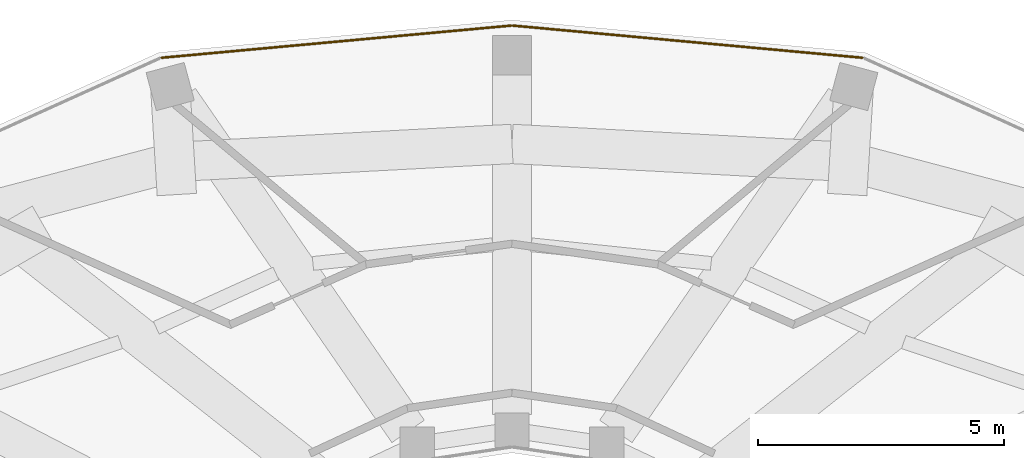
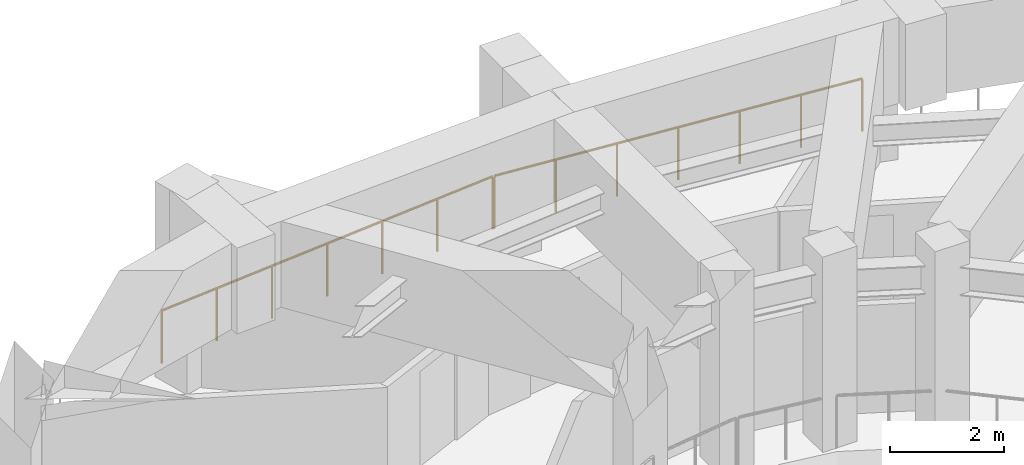
# One storey, part 9 of 9: 2 railings.
"""IFC4 building model written with IfcOpenShell, lengths in metres."""

from ifc_helpers import new_model, si_unit, direction, frame, origin, origin_2d, place, context, subcontext, project, spatial, circle, extrude, material, type_object, element, save


model = new_model("IFC4")

# Units and contexts
model_context = context("Model", 3, precision=1e-05, world=origin(), true_north=direction((0.0, 1.0)))
body_context = subcontext(model_context, "Body", "Model", "MODEL_VIEW")
ifc_project = project(units=[si_unit("LENGTHUNIT", "METRE"), si_unit("AREAUNIT", "SQUARE_METRE"), si_unit("VOLUMEUNIT", "CUBIC_METRE"), si_unit("PLANEANGLEUNIT", "RADIAN"), si_unit("MASSUNIT", "GRAM", prefix="KILO")], contexts=[model_context])

# Site, building, storey
site_placement = place(None, origin())
site = spatial("IfcSite", under=ifc_project, at=site_placement, CompositionType="ELEMENT")
building_placement = place(site_placement, origin())
building = spatial("IfcBuilding", under=site, at=building_placement, Name="Solvane Sanctuary Tower", CompositionType="ELEMENT")
storey_placement = place(building_placement, frame((0.0, 0.0, 197.39990234375)))
storey = spatial("IfcBuildingStorey", under=building, at=storey_placement, Name="L60", CompositionType="ELEMENT", Elevation=197.39990234375)

# Railings
ifc_material = material(Name="Architectural Stainless Steel 316", Category="steel")
railing_type = type_object("IfcRailingType", Name="Railing GR-BALC-1150", PredefinedType="BALUSTRADE", material=ifc_material)
railing_1_placement = place(storey_placement, frame((39.125, 39.0322265625, 0.0)))
element("IfcRailing", 1, at=railing_1_placement, inside=storey, type_object=railing_type, Name="L60 Open Void-Portal Perimeter Balustrade 05", PredefinedType="BALUSTRADE", context=body_context, shape_type="SweptSolid", body=[
    extrude(circle(Radius=0.02392578125, at=origin_2d()), frame((0.0, 0.0, 1.1259765625), z_axis=(-0.995789630686, 0.091667941056, 0.0), x_axis=(-0.091667941056, -0.995789630686, 0.0)), (0.0, 0.0, 1.0), 7.135009765625),
    extrude(circle(Radius=0.02099609375, at=origin_2d()), origin(), (0.0, 0.0, 1.0), 1.101806640625),
    extrude(circle(Radius=0.02099609375, at=origin_2d()), frame((-1.18408203125, 0.10888671875, 0.0)), (0.0, 0.0, 1.0), 1.101806640625),
    extrude(circle(Radius=0.02099609375, at=origin_2d()), frame((-2.368408203125, 0.218017578125, 0.0)), (0.0, 0.0, 1.0), 1.101806640625),
    extrude(circle(Radius=0.02099609375, at=origin_2d()), frame((-3.552490234375, 0.3271484375, 0.0)), (0.0, 0.0, 1.0), 1.101806640625),
    extrude(circle(Radius=0.02099609375, at=origin_2d()), frame((-4.736572265625, 0.43603515625, 0.0)), (0.0, 0.0, 1.0), 1.101806640625),
    extrude(circle(Radius=0.02099609375, at=origin_2d()), frame((-5.9208984375, 0.544921875, 0.0)), (0.0, 0.0, 1.0), 1.101806640625),
    extrude(circle(Radius=0.02099609375, at=origin_2d()), frame((-7.10498046875, 0.654052734375, 0.0)), (0.0, 0.0, 1.0), 1.101806640625),
])
railing_2_placement = place(storey_placement, frame((31.97998046875, 39.686279296875, 0.0)))
element("IfcRailing", 2, at=railing_2_placement, inside=storey, type_object=railing_type, Name="L60 Open Void-Portal Perimeter Balustrade 06", PredefinedType="BALUSTRADE", context=body_context, shape_type="SweptSolid", body=[
    extrude(circle(Radius=0.02392578125, at=origin_2d()), frame((0.0, 0.0, 1.1259765625), z_axis=(-0.995789630686, -0.091667941056, 0.0), x_axis=(0.091667941056, -0.995789630686, 0.0)), (0.0, 0.0, 1.0), 7.135009765625),
    extrude(circle(Radius=0.02099609375, at=origin_2d()), origin(), (0.0, 0.0, 1.0), 1.101806640625),
    extrude(circle(Radius=0.02099609375, at=origin_2d()), frame((-1.18408203125, -0.10888671875, 0.0)), (0.0, 0.0, 1.0), 1.101806640625),
    extrude(circle(Radius=0.02099609375, at=origin_2d()), frame((-2.368408203125, -0.218017578125, 0.0)), (0.0, 0.0, 1.0), 1.101806640625),
    extrude(circle(Radius=0.02099609375, at=origin_2d()), frame((-3.552490234375, -0.3271484375, 0.0)), (0.0, 0.0, 1.0), 1.101806640625),
    extrude(circle(Radius=0.02099609375, at=origin_2d()), frame((-4.736572265625, -0.43603515625, 0.0)), (0.0, 0.0, 1.0), 1.101806640625),
    extrude(circle(Radius=0.02099609375, at=origin_2d()), frame((-5.9208984375, -0.544921875, 0.0)), (0.0, 0.0, 1.0), 1.101806640625),
    extrude(circle(Radius=0.02099609375, at=origin_2d()), frame((-7.10498046875, -0.654052734375, 0.0)), (0.0, 0.0, 1.0), 1.101806640625),
])

save(model, "model.ifc")
